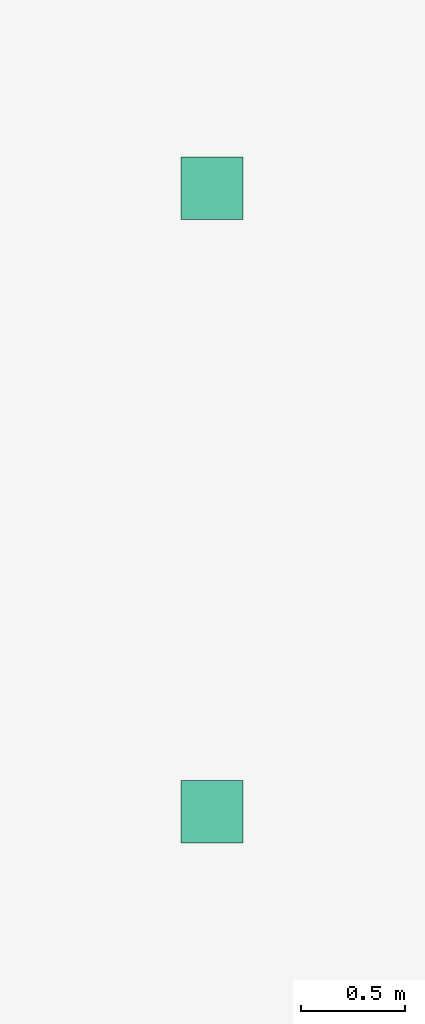
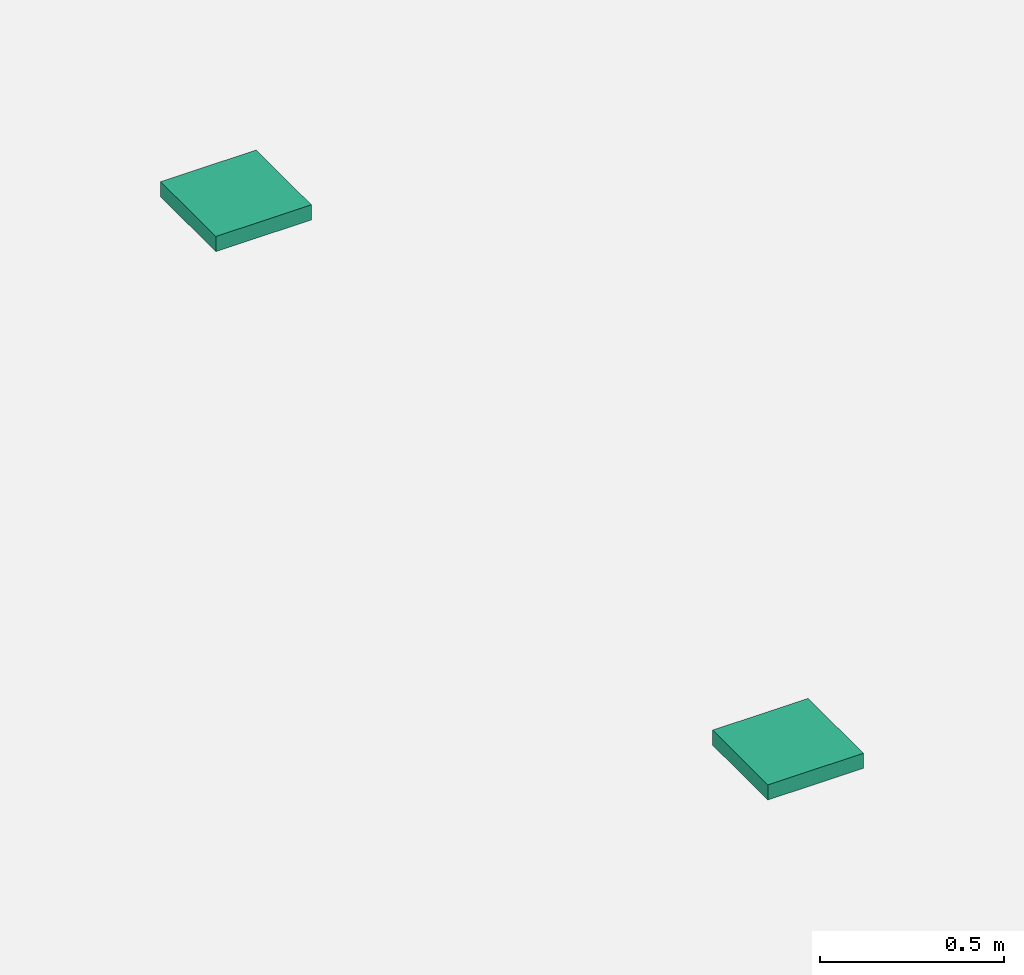
# One storey, part 23 of 23: 2 waste terminals.
"""IFC4 building model written with IfcOpenShell, lengths in metres."""

from ifc_helpers import new_model, si_unit, direction, frame, origin, origin_2d, place, context, subcontext, project, spatial, rectangle, extrude, material, type_object, element, save


model = new_model("IFC4")

# Units and contexts
model_context = context("Model", 3, precision=1e-05, world=origin(), true_north=direction((0.0, 1.0)))
body_context = subcontext(model_context, "Body", "Model", "MODEL_VIEW")
ifc_project = project(units=[si_unit("LENGTHUNIT", "METRE"), si_unit("AREAUNIT", "SQUARE_METRE"), si_unit("VOLUMEUNIT", "CUBIC_METRE"), si_unit("PLANEANGLEUNIT", "RADIAN"), si_unit("MASSUNIT", "GRAM", prefix="KILO")], contexts=[model_context])

# Site, building, storey
site_placement = place(None, origin())
site = spatial("IfcSite", under=ifc_project, at=site_placement, CompositionType="ELEMENT")
building_placement = place(site_placement, origin())
building = spatial("IfcBuilding", under=site, at=building_placement, Name="Tskaro Facet Tower", CompositionType="ELEMENT")
storey_placement = place(building_placement, frame((0.0, 0.0, 62.10009765625)))
storey = spatial("IfcBuildingStorey", under=building, at=storey_placement, Name="L14", CompositionType="ELEMENT", Elevation=62.10009765625)

# Waste terminals
ifc_material = material(Name="Cast aluminium EN AC-42100", Category="aluminium")
waste_terminal_type = type_object("IfcWasteTerminalType", Name="Roof drain", PredefinedType="ROOFDRAIN", material=ifc_material)
for number, where, z_axis, x_axis, name in (
    (1, (-26.156982421875, -16.656982421875, 0.0498046875), (0.0, 0.0, 1.0), (1.0, 0.0, 0.0), "Roof drain L14 1.1"),
    (2, (-26.156982421875, -13.656982421875, 0.0498046875), (0.0, 0.0, 1.0), (1.0, 0.0, 0.0), "Roof drain L14 1.2"),
):
    element("IfcWasteTerminal", number, at=place(storey_placement, frame(where, z_axis=z_axis, x_axis=x_axis)), inside=storey, type_object=waste_terminal_type, Name=name, PredefinedType="ROOFDRAIN", context=body_context, shape_type="SweptSolid", body=[
        extrude(rectangle(XDim=0.300048828125, YDim=0.300048828125, at=origin_2d()), origin(), (0.0, 0.0, 1.0), 0.050048828125),
    ])

save(model, "model.ifc")
